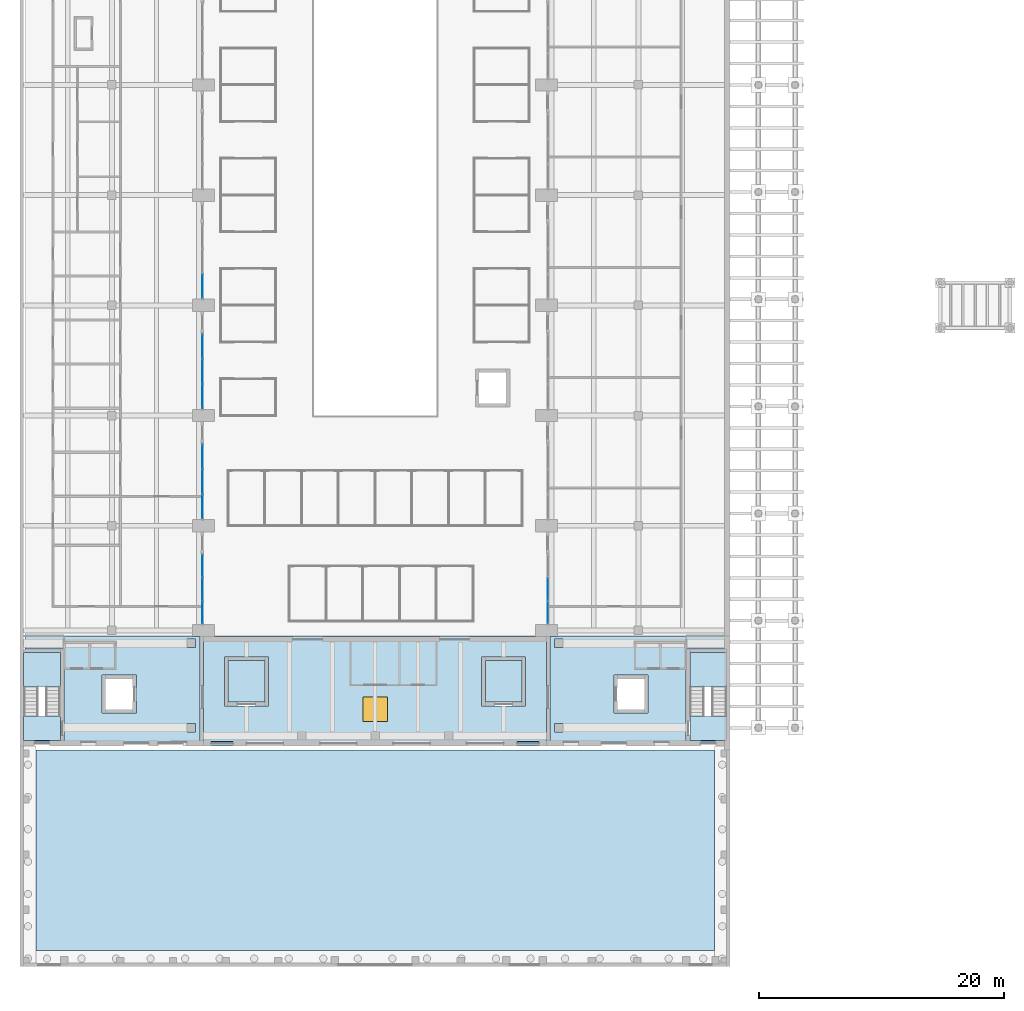
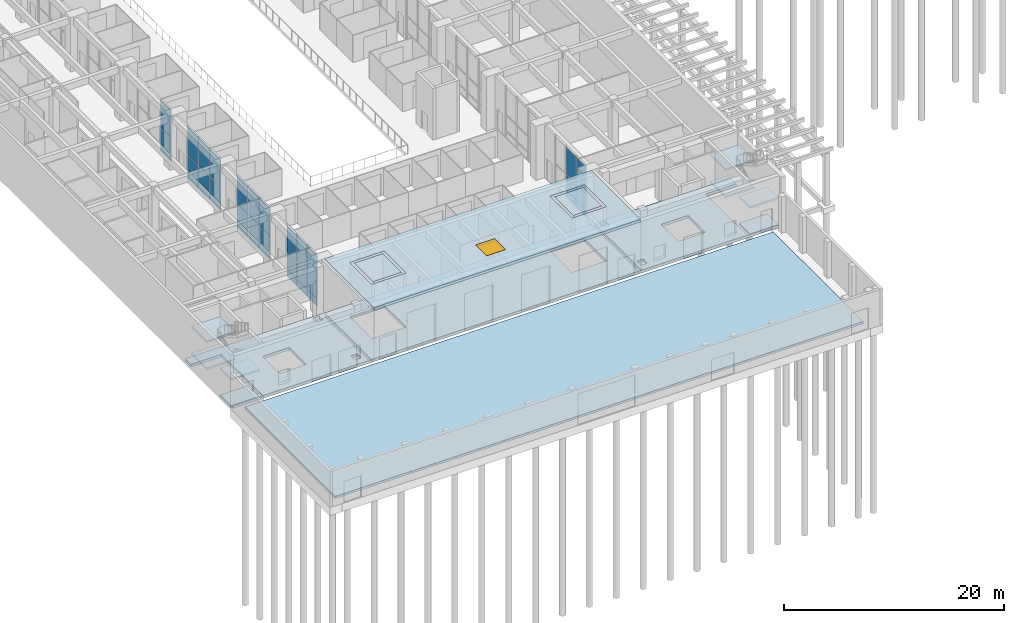
# One storey, part 24 of 51: 36 plates, 15 slabs, 1 door, 1 opening, 7 elements without a shape of their own.
"""IFC4 building model written with IfcOpenShell, lengths in metres."""

import ifcopenshell
import ifcopenshell.guid

model = None  # the IFC model being written
_history = None  # IfcOwnerHistory: only IFC2X3 demands one
_inside = {}  # id of a spatial element -> (the spatial element, [elements in it])
_under = {}  # id of a project, library or spatial element -> (it, [spatial elements below it])
_declared = {}  # id of a project -> (the project, [libraries it declares])
_typed = {}  # id of a type object -> (the type object, [elements of that type])
_made_of = {}  # id of a material, layer set ... -> (it, [elements and type objects made of it])


def new_model(schema):
    """Start an empty IFC model of exactly this schema.

    Asked for "IFC4X3", IfcOpenShell would pick the latest addendum, in which some entities
    have other attributes; the version numbers below select the first issue.
    IFC2X3 requires an IfcOwnerHistory on every rooted entity: one is made here for all.
    """
    global model, _history
    if schema == "IFC4X3":
        model = ifcopenshell.file(schema_version=(4, 3, 0, 0))
    else:
        model = ifcopenshell.file(schema=schema)
    _inside.clear()
    _under.clear()
    _declared.clear()
    _typed.clear()
    _made_of.clear()
    _history = None
    if model.schema == "IFC2X3":
        org = make("IfcOrganization", Name="unknown")
        user = make(
            "IfcPersonAndOrganization",
            ThePerson=make("IfcPerson", FamilyName="unknown"),
            TheOrganization=org,
        )
        app = make(
            "IfcApplication",
            ApplicationDeveloper=org,
            Version="unknown",
            ApplicationFullName="unknown",
            ApplicationIdentifier="unknown",
        )
        _history = make(
            "IfcOwnerHistory",
            OwningUser=user,
            OwningApplication=app,
            ChangeAction="ADDED",
            CreationDate=0,
        )
    return model


def make(cls, **values):
    """One entity of the class cls with the attributes given. An attribute that is None is left unset."""
    return model.create_entity(
        cls, **{name: value for name, value in values.items() if value is not None}
    )


def rooted(cls, **values):
    """An entity with a GlobalId (a new one), such as an element, a storey or a relation."""
    return make(cls, GlobalId=ifcopenshell.guid.new(), OwnerHistory=_history, **values)


def si_unit(unit_type, name, prefix=None):
    """IfcSIUnit, for example si_unit("LENGTHUNIT", "METRE", prefix="MILLI")."""
    return make("IfcSIUnit", UnitType=unit_type, Prefix=prefix, Name=name)


def assignment(units):
    """IfcUnitAssignment: the units of a project."""
    return None if units is None else make("IfcUnitAssignment", Units=units)


def point(xyz):
    """IfcCartesianPoint."""
    return None if xyz is None else make("IfcCartesianPoint", Coordinates=xyz)


def direction(xyz):
    """IfcDirection."""
    return None if xyz is None else make("IfcDirection", DirectionRatios=xyz)


def frame(location, z_axis=None, x_axis=None):
    """IfcAxis2Placement3D, a coordinate frame: its origin and axes. An axis left out is left unset."""
    return make(
        "IfcAxis2Placement3D",
        Location=point(location),
        Axis=direction(z_axis),
        RefDirection=direction(x_axis),
    )


def frame_2d(location, x_axis=None):
    """IfcAxis2Placement2D, a coordinate frame in the plane: its origin and x axis."""
    return make(
        "IfcAxis2Placement2D", Location=point(location), RefDirection=direction(x_axis)
    )


def origin():
    """The frame at (0, 0, 0) with its axes left unset."""
    return frame((0.0, 0.0, 0.0))


def origin_2d():
    """The frame at (0, 0) in the plane with its x axis left unset."""
    return frame_2d((0.0, 0.0))


def place(relative_to, where):
    """IfcLocalPlacement: puts the frame where relative to a parent placement (None: the world)."""
    return make(
        "IfcLocalPlacement", PlacementRelTo=relative_to, RelativePlacement=where
    )


def context(
    kind, dimensions, precision=None, world=None, true_north=None, identifier=None
):
    """IfcGeometricRepresentationContext, for example the 3D "Model" context."""
    return make(
        "IfcGeometricRepresentationContext",
        ContextIdentifier=identifier,
        ContextType=kind,
        CoordinateSpaceDimension=dimensions,
        Precision=precision,
        WorldCoordinateSystem=world,
        TrueNorth=true_north,
    )


def subcontext(parent, identifier, kind, view, scale=None):
    """IfcGeometricRepresentationSubContext, for example "Body" below "Model"."""
    return make(
        "IfcGeometricRepresentationSubContext",
        ContextIdentifier=identifier,
        ContextType=kind,
        ParentContext=parent,
        TargetScale=scale,
        TargetView=view,
    )


def project(units=None, contexts=None):
    """IfcProject with its units and contexts."""
    return rooted(
        "IfcProject",
        Name="project",
        RepresentationContexts=contexts,
        UnitsInContext=assignment(units),
    )


def spatial(cls, under=None, at=None, **own):
    """A site, building, storey or space (cls), placed at a placement, below another one or the project."""
    s = rooted(cls, ObjectPlacement=at, **own)
    if under is not None:
        _under.setdefault(under.id(), (under, []))[1].append(s)
    return s


def polyline(points):
    """IfcPolyline through the points."""
    return make("IfcPolyline", Points=[point(p) for p in points])


def profile(cls, at=None, kind="AREA", **sizes):
    """A parametric profile (cls). Its sizes go by their IFC names, for example OverallWidth=200.0."""
    return make(cls, ProfileType=kind, Position=at, **sizes)


def rectangle(**sizes):
    """IfcRectangleProfileDef."""
    return profile("IfcRectangleProfileDef", **sizes)


def outline(outer, holes=None, kind="AREA"):
    """IfcArbitraryClosedProfileDef: a profile drawn as a closed curve; with holes, ...WithVoids."""
    if holes is None:
        return make("IfcArbitraryClosedProfileDef", ProfileType=kind, OuterCurve=outer)
    return make(
        "IfcArbitraryProfileDefWithVoids",
        ProfileType=kind,
        OuterCurve=outer,
        InnerCurves=holes,
    )


def extrude(swept, where, along, depth):
    """IfcExtrudedAreaSolid: the profile swept, set in the frame where, extruded along a direction by depth."""
    return make(
        "IfcExtrudedAreaSolid",
        SweptArea=swept,
        Position=where,
        ExtrudedDirection=direction(along),
        Depth=depth,
    )


def shape(context_of_items, identifier, shape_type, items):
    """IfcShapeRepresentation: the items that make up one representation, for example the "Body"."""
    return make(
        "IfcShapeRepresentation",
        ContextOfItems=context_of_items,
        RepresentationIdentifier=identifier,
        RepresentationType=shape_type,
        Items=items,
    )


def material(Name=None, Category=None):
    """IfcMaterial."""
    return make("IfcMaterial", Name=Name, Category=Category)


def layer(
    of_material, thickness, ventilated=None, Name=None, Category=None, Priority=None
):
    """IfcMaterialLayer: one layer of a wall or slab, of a material (None: an air gap)."""
    return make(
        "IfcMaterialLayer",
        Material=of_material,
        LayerThickness=thickness,
        IsVentilated=ventilated,
        Name=Name,
        Category=Category,
        Priority=Priority,
    )


def layer_set(layers, Name=None):
    """IfcMaterialLayerSet."""
    return make("IfcMaterialLayerSet", MaterialLayers=layers, LayerSetName=Name)


def made_of(thing, what):
    """Note that an element or type object is made of a material, layer set ...; save() writes the relation."""
    if what is not None:
        _made_of.setdefault(what.id(), (what, []))[1].append(thing)
    return thing


def type_object(cls, material=None, **own):
    """A type object (cls), such as IfcWallType, which elements share."""
    return made_of(rooted(cls, **own), material)


def element(
    cls,
    number,
    at=None,
    inside=None,
    cuts=None,
    type_object=None,
    material=None,
    context=None,
    identifier="Body",
    shape_type=None,
    held_by="IfcProductDefinitionShape",
    body=None,
    shapes=None,
    **own,
):
    """One element of the class cls, such as IfcWall. Its Tag is "e" and its number.

    at: its placement. inside: the storey or other place that contains it. cuts: it is an
    opening in that element (IfcRelVoidsElement). A single representation is given by context,
    identifier, shape_type and body (its items); several are given by shapes. held_by: the class
    of the entity that holds the representations. save() writes the other relations.
    """
    e = rooted(cls, Tag="e%d" % number, ObjectPlacement=at, **own)
    if body is not None:
        shapes = [shape(context, identifier, shape_type, body)]
    if shapes is not None:
        e.Representation = make(held_by, Representations=shapes)
    if inside is not None:
        _inside.setdefault(inside.id(), (inside, []))[1].append(e)
    if cuts is not None:
        rooted(
            "IfcRelVoidsElement", RelatingBuildingElement=cuts, RelatedOpeningElement=e
        )
    if type_object is not None:
        _typed.setdefault(type_object.id(), (type_object, []))[1].append(e)
    return made_of(e, material)


def fill(opening, filler):
    """IfcRelFillsElement: the door or window that sits in an opening."""
    return rooted(
        "IfcRelFillsElement",
        RelatingOpeningElement=opening,
        RelatedBuildingElement=filler,
    )


def aggregate(whole, parts):
    """IfcRelAggregates: a whole, such as a stair, and the parts it consists of."""
    return rooted("IfcRelAggregates", RelatingObject=whole, RelatedObjects=parts)


def save(model, path):
    """Write the relations noted so far, then the file.

    IfcRelAggregates (storeys below a building ...), IfcRelContainedInSpatialStructure (elements
    in a storey), IfcRelDefinesByType, IfcRelAssociatesMaterial and IfcRelDeclares: one each for
    every whole, place, type object, material and project.
    """
    for whole, parts in _under.values():
        aggregate(whole, parts)
    for where, things in _inside.values():
        rooted(
            "IfcRelContainedInSpatialStructure",
            RelatedElements=things,
            RelatingStructure=where,
        )
    for kind, things in _typed.values():
        rooted("IfcRelDefinesByType", RelatedObjects=things, RelatingType=kind)
    for what, things in _made_of.values():
        rooted("IfcRelAssociatesMaterial", RelatedObjects=things, RelatingMaterial=what)
    for by, libraries in _declared.values():
        rooted("IfcRelDeclares", RelatingContext=by, RelatedDefinitions=libraries)
    model.write(path)


model = new_model("IFC4")

# Units and contexts
model_context = context("Model", 3, precision=1e-05, world=origin(), true_north=direction((0.0, 1.0)))
body_context = subcontext(model_context, "Body", "Model", "MODEL_VIEW")
ifc_project = project(units=[si_unit("LENGTHUNIT", "METRE"), si_unit("AREAUNIT", "SQUARE_METRE"), si_unit("VOLUMEUNIT", "CUBIC_METRE"), si_unit("PLANEANGLEUNIT", "RADIAN"), si_unit("MASSUNIT", "GRAM", prefix="KILO")], contexts=[model_context])

# Site, building, storey
site_placement = place(None, origin())
site = spatial("IfcSite", under=ifc_project, at=site_placement, CompositionType="ELEMENT")
building_placement = place(site_placement, origin())
building = spatial("IfcBuilding", under=site, at=building_placement, Name="Elmora Arch Market Hall", CompositionType="ELEMENT")
storey_placement = place(building_placement, origin())
storey = spatial("IfcBuildingStorey", under=building, at=storey_placement, Name="L00", CompositionType="ELEMENT", Elevation=0.0)

# Slabs
ifc_material_1 = material(Name="Concrete C32/40", Category="concrete")
ifc_layer_1 = layer(ifc_material_1, 0.300048828125)
ifc_layer_set_1 = layer_set([ifc_layer_1], Name="Concrete C32/40")
slab_type_1 = type_object("IfcSlabType", Name="Floor slab 300", PredefinedType="FLOOR", material=ifc_layer_set_1)
slab_1_placement = place(storey_placement, frame((0.0, 0.0, -0.300048828125)))
element("IfcSlab", 1, at=slab_1_placement, inside=storey, type_object=slab_type_1, Name="L00 floor slab DOCK", PredefinedType="FLOOR", context=body_context, shape_type="SweptSolid", body=[
    extrude(outline(polyline([(43.0, 18.40087890625), (15.0, 18.40087890625), (15.0, 18.448974609375), (15.0009765625, 18.448974609375), (15.0009765625, 26.948974609375), (15.90087890625, 26.948974609375), (15.90087890625, 27.0), (42.09912109375, 27.0), (42.09912109375, 26.948974609375), (42.9990234375, 26.948974609375), (42.9990234375, 18.448974609375), (43.0, 18.448974609375), (43.0, 18.40087890625)]), holes=[polyline([(37.698974609375, 25.301025390625), (37.698974609375, 21.299072265625), (41.301025390625, 21.299072265625), (41.301025390625, 25.301025390625), (37.698974609375, 25.301025390625)]), polyline([(16.698974609375, 25.301025390625), (16.698974609375, 21.299072265625), (20.301025390625, 21.299072265625), (20.301025390625, 25.301025390625), (16.698974609375, 25.301025390625)])]), origin(), (0.0, 0.0, 1.0), 0.300048828125),
])
slab_2_placement = place(storey_placement, frame((0.0, 0.0, -0.300048828125)))
element("IfcSlab", 2, at=slab_2_placement, inside=storey, type_object=slab_type_1, Name="L00 floor slab SW", PredefinedType="FLOOR", context=body_context, shape_type="SweptSolid", body=[
    extrude(outline(polyline([(15.0, 18.40087890625), (0.40087890625, 18.40087890625), (0.40087890625, 18.448974609375), (3.60107421875, 18.448974609375), (3.60107421875, 25.950927734375), (0.40087890625, 25.950927734375), (0.40087890625, 27.0), (14.09912109375, 27.0), (14.09912109375, 26.948974609375), (14.698974609375, 26.948974609375), (14.698974609375, 18.448974609375), (15.0, 18.448974609375), (15.0, 18.40087890625)]), holes=[polyline([(14.35107421875, 26.7509765625), (13.64892578125, 26.7509765625), (13.64892578125, 26.049072265625), (14.35107421875, 26.049072265625), (14.35107421875, 26.7509765625)]), polyline([(13.64892578125, 19.85107421875), (13.64892578125, 19.14892578125), (14.35107421875, 19.14892578125), (14.35107421875, 19.85107421875), (13.64892578125, 19.85107421875)]), polyline([(9.5009765625, 20.698974609375), (9.5009765625, 23.801025390625), (6.698974609375, 23.801025390625), (6.698974609375, 20.698974609375), (9.5009765625, 20.698974609375)])]), origin(), (0.0, 0.0, 1.0), 0.300048828125),
])
slab_3_placement = place(storey_placement, frame((0.0, 0.0, -0.300048828125)))
element("IfcSlab", 3, at=slab_3_placement, inside=storey, type_object=slab_type_1, Name="L00 floor slab SE", PredefinedType="FLOOR", context=body_context, shape_type="SweptSolid", body=[
    extrude(outline(polyline([(57.59912109375, 27.0), (57.59912109375, 25.950927734375), (54.39892578125, 25.950927734375), (54.39892578125, 18.448974609375), (57.59912109375, 18.448974609375), (57.59912109375, 18.40087890625), (43.0, 18.40087890625), (43.0, 18.448974609375), (43.301025390625, 18.448974609375), (43.301025390625, 26.948974609375), (43.90087890625, 26.948974609375), (43.90087890625, 27.0), (57.59912109375, 27.0)]), holes=[polyline([(48.4990234375, 23.801025390625), (48.4990234375, 20.698974609375), (51.301025390625, 20.698974609375), (51.301025390625, 23.801025390625), (48.4990234375, 23.801025390625)]), polyline([(44.35107421875, 19.85107421875), (43.64892578125, 19.85107421875), (43.64892578125, 19.14892578125), (44.35107421875, 19.14892578125), (44.35107421875, 19.85107421875)]), polyline([(44.35107421875, 26.7509765625), (43.64892578125, 26.7509765625), (43.64892578125, 26.049072265625), (44.35107421875, 26.049072265625), (44.35107421875, 26.7509765625)])]), origin(), (0.0, 0.0, 1.0), 0.300048828125),
])

# Curtain wall, plates
ifc_material_2 = material(Name="Aluminium", Category="aluminium")
curtain_wall_type = type_object("IfcCurtainWallType", Name="Shopfront curtain wall", PredefinedType="NOTDEFINED", material=ifc_material_2)
curtain_wall_1_placement = place(storey_placement, origin())
curtain_wall_1 = element("IfcCurtainWall", 4, at=curtain_wall_1_placement, inside=storey, type_object=curtain_wall_type, Name="Shopfront W 1", PredefinedType="NOTDEFINED")
ifc_material_3 = material(Name="Glass", Category="glass")
ifc_layer_2 = layer(ifc_material_3, 0.035888671875)
ifc_layer_set_2 = layer_set([ifc_layer_2], Name="Glass")
plate_type = type_object("IfcPlateType", Name="Laminated glass panel 36", PredefinedType="CURTAIN_PANEL", material=ifc_layer_set_2)
plate_1_placement = place(storey_placement, frame((14.89990234375, 28.933349609375, 0.074951171875), z_axis=(0.0, 0.0, 1.0), x_axis=(0.0, 1.0, 0.0)))
plate_1 = element("IfcPlate", 5, at=plate_1_placement, type_object=plate_type, Name="CW3 panel 1.1", PredefinedType="CURTAIN_PANEL", context=body_context, shape_type="SweptSolid", body=[
    extrude(rectangle(XDim=1.7666015625, YDim=0.035888671875, at=origin_2d()), origin(), (0.0, 0.0, 1.0), 0.78759765625),
])
plate_2_placement = place(storey_placement, frame((14.89990234375, 28.933349609375, 0.9375), z_axis=(0.0, 0.0, 1.0), x_axis=(0.0, 1.0, 0.0)))
plate_2 = element("IfcPlate", 6, at=plate_2_placement, type_object=plate_type, Name="CW3 panel 1.2", PredefinedType="CURTAIN_PANEL", context=body_context, shape_type="SweptSolid", body=[
    extrude(rectangle(XDim=1.7666015625, YDim=0.035888671875, at=origin_2d()), origin(), (0.0, 0.0, 1.0), 1.72509765625),
])
plate_3_placement = place(storey_placement, frame((14.89990234375, 28.933349609375, 2.7373046875), z_axis=(0.0, 0.0, 1.0), x_axis=(0.0, 1.0, 0.0)))
plate_3 = element("IfcPlate", 7, at=plate_3_placement, type_object=plate_type, Name="CW3 panel 1.3", PredefinedType="CURTAIN_PANEL", context=body_context, shape_type="SweptSolid", body=[
    extrude(rectangle(XDim=1.7666015625, YDim=0.035888671875, at=origin_2d()), origin(), (0.0, 0.0, 1.0), 2.987548828125),
])
plate_4_placement = place(storey_placement, frame((14.89990234375, 30.824951171875, 0.074951171875), z_axis=(0.0, 0.0, 1.0), x_axis=(0.0, 1.0, 0.0)))
plate_4 = element("IfcPlate", 8, at=plate_4_placement, type_object=plate_type, Name="CW3 panel 2.1", PredefinedType="CURTAIN_PANEL", context=body_context, shape_type="SweptSolid", body=[
    extrude(rectangle(XDim=1.816650390625, YDim=0.035888671875, at=origin_2d()), origin(), (0.0, 0.0, 1.0), 0.78759765625),
])
plate_5_placement = place(storey_placement, frame((14.89990234375, 30.824951171875, 0.9375), z_axis=(0.0, 0.0, 1.0), x_axis=(0.0, 1.0, 0.0)))
plate_5 = element("IfcPlate", 9, at=plate_5_placement, type_object=plate_type, Name="CW3 panel 2.2", PredefinedType="CURTAIN_PANEL", context=body_context, shape_type="SweptSolid", body=[
    extrude(rectangle(XDim=1.816650390625, YDim=0.035888671875, at=origin_2d()), origin(), (0.0, 0.0, 1.0), 1.72509765625),
])
plate_6_placement = place(storey_placement, frame((14.89990234375, 30.824951171875, 2.7373046875), z_axis=(0.0, 0.0, 1.0), x_axis=(0.0, 1.0, 0.0)))
plate_6 = element("IfcPlate", 10, at=plate_6_placement, type_object=plate_type, Name="CW3 panel 2.3", PredefinedType="CURTAIN_PANEL", context=body_context, shape_type="SweptSolid", body=[
    extrude(rectangle(XDim=1.816650390625, YDim=0.035888671875, at=origin_2d()), origin(), (0.0, 0.0, 1.0), 2.987548828125),
])
plate_7_placement = place(storey_placement, frame((14.89990234375, 32.716552734375, 0.074951171875), z_axis=(0.0, 0.0, 1.0), x_axis=(0.0, 1.0, 0.0)))
plate_7 = element("IfcPlate", 11, at=plate_7_placement, type_object=plate_type, Name="CW3 panel 3.1", PredefinedType="CURTAIN_PANEL", context=body_context, shape_type="SweptSolid", body=[
    extrude(rectangle(XDim=1.7666015625, YDim=0.035888671875, at=origin_2d()), origin(), (0.0, 0.0, 1.0), 0.78759765625),
])
plate_8_placement = place(storey_placement, frame((14.89990234375, 32.716552734375, 0.9375), z_axis=(0.0, 0.0, 1.0), x_axis=(0.0, 1.0, 0.0)))
plate_8 = element("IfcPlate", 12, at=plate_8_placement, type_object=plate_type, Name="CW3 panel 3.2", PredefinedType="CURTAIN_PANEL", context=body_context, shape_type="SweptSolid", body=[
    extrude(rectangle(XDim=1.7666015625, YDim=0.035888671875, at=origin_2d()), origin(), (0.0, 0.0, 1.0), 1.72509765625),
])
plate_9_placement = place(storey_placement, frame((14.89990234375, 32.716552734375, 2.7373046875), z_axis=(0.0, 0.0, 1.0), x_axis=(0.0, 1.0, 0.0)))
plate_9 = element("IfcPlate", 13, at=plate_9_placement, type_object=plate_type, Name="CW3 panel 3.3", PredefinedType="CURTAIN_PANEL", context=body_context, shape_type="SweptSolid", body=[
    extrude(rectangle(XDim=1.7666015625, YDim=0.035888671875, at=origin_2d()), origin(), (0.0, 0.0, 1.0), 2.987548828125),
])
aggregate(curtain_wall_1, [plate_1, plate_2, plate_3, plate_4, plate_5, plate_6, plate_7, plate_8, plate_9])

curtain_wall_2_placement = place(storey_placement, origin())
curtain_wall_2 = element("IfcCurtainWall", 14, at=curtain_wall_2_placement, inside=storey, type_object=curtain_wall_type, Name="Shopfront W 2", PredefinedType="NOTDEFINED")
plate_10_placement = place(storey_placement, frame((14.89990234375, 37.558349609375, 0.074951171875), z_axis=(0.0, 0.0, 1.0), x_axis=(0.0, 1.0, 0.0)))
plate_10 = element("IfcPlate", 15, at=plate_10_placement, type_object=plate_type, Name="CW3 panel 1.1", PredefinedType="CURTAIN_PANEL", context=body_context, shape_type="SweptSolid", body=[
    extrude(rectangle(XDim=1.916748046875, YDim=0.035888671875, at=origin_2d()), origin(), (0.0, 0.0, 1.0), 0.78759765625),
])
plate_11_placement = place(storey_placement, frame((14.89990234375, 37.558349609375, 0.9375), z_axis=(0.0, 0.0, 1.0), x_axis=(0.0, 1.0, 0.0)))
plate_11 = element("IfcPlate", 16, at=plate_11_placement, type_object=plate_type, Name="CW3 panel 1.2", PredefinedType="CURTAIN_PANEL", context=body_context, shape_type="SweptSolid", body=[
    extrude(rectangle(XDim=1.916748046875, YDim=0.035888671875, at=origin_2d()), origin(), (0.0, 0.0, 1.0), 1.72509765625),
])
plate_12_placement = place(storey_placement, frame((14.89990234375, 37.558349609375, 2.7373046875), z_axis=(0.0, 0.0, 1.0), x_axis=(0.0, 1.0, 0.0)))
plate_12 = element("IfcPlate", 17, at=plate_12_placement, type_object=plate_type, Name="CW3 panel 1.3", PredefinedType="CURTAIN_PANEL", context=body_context, shape_type="SweptSolid", body=[
    extrude(rectangle(XDim=1.916748046875, YDim=0.035888671875, at=origin_2d()), origin(), (0.0, 0.0, 1.0), 2.987548828125),
])
plate_13_placement = place(storey_placement, frame((14.89990234375, 39.60009765625, 0.074951171875), z_axis=(0.0, 0.0, 1.0), x_axis=(0.0, 1.0, 0.0)))
plate_13 = element("IfcPlate", 18, at=plate_13_placement, type_object=plate_type, Name="CW3 panel 2.1", PredefinedType="CURTAIN_PANEL", context=body_context, shape_type="SweptSolid", body=[
    extrude(rectangle(XDim=1.966552734375, YDim=0.035888671875, at=origin_2d()), origin(), (0.0, 0.0, 1.0), 0.78759765625),
])
plate_14_placement = place(storey_placement, frame((14.89990234375, 39.60009765625, 0.9375), z_axis=(0.0, 0.0, 1.0), x_axis=(0.0, 1.0, 0.0)))
plate_14 = element("IfcPlate", 19, at=plate_14_placement, type_object=plate_type, Name="CW3 panel 2.2", PredefinedType="CURTAIN_PANEL", context=body_context, shape_type="SweptSolid", body=[
    extrude(rectangle(XDim=1.966552734375, YDim=0.035888671875, at=origin_2d()), origin(), (0.0, 0.0, 1.0), 1.72509765625),
])
plate_15_placement = place(storey_placement, frame((14.89990234375, 39.60009765625, 2.7373046875), z_axis=(0.0, 0.0, 1.0), x_axis=(0.0, 1.0, 0.0)))
plate_15 = element("IfcPlate", 20, at=plate_15_placement, type_object=plate_type, Name="CW3 panel 2.3", PredefinedType="CURTAIN_PANEL", context=body_context, shape_type="SweptSolid", body=[
    extrude(rectangle(XDim=1.966552734375, YDim=0.035888671875, at=origin_2d()), origin(), (0.0, 0.0, 1.0), 2.987548828125),
])
plate_16_placement = place(storey_placement, frame((14.89990234375, 41.6416015625, 0.074951171875), z_axis=(0.0, 0.0, 1.0), x_axis=(0.0, 1.0, 0.0)))
plate_16 = element("IfcPlate", 21, at=plate_16_placement, type_object=plate_type, Name="CW3 panel 3.1", PredefinedType="CURTAIN_PANEL", context=body_context, shape_type="SweptSolid", body=[
    extrude(rectangle(XDim=1.916748046875, YDim=0.035888671875, at=origin_2d()), origin(), (0.0, 0.0, 1.0), 0.78759765625),
])
plate_17_placement = place(storey_placement, frame((14.89990234375, 41.6416015625, 0.9375), z_axis=(0.0, 0.0, 1.0), x_axis=(0.0, 1.0, 0.0)))
plate_17 = element("IfcPlate", 22, at=plate_17_placement, type_object=plate_type, Name="CW3 panel 3.2", PredefinedType="CURTAIN_PANEL", context=body_context, shape_type="SweptSolid", body=[
    extrude(rectangle(XDim=1.916748046875, YDim=0.035888671875, at=origin_2d()), origin(), (0.0, 0.0, 1.0), 1.72509765625),
])
plate_18_placement = place(storey_placement, frame((14.89990234375, 41.6416015625, 2.7373046875), z_axis=(0.0, 0.0, 1.0), x_axis=(0.0, 1.0, 0.0)))
plate_18 = element("IfcPlate", 23, at=plate_18_placement, type_object=plate_type, Name="CW3 panel 3.3", PredefinedType="CURTAIN_PANEL", context=body_context, shape_type="SweptSolid", body=[
    extrude(rectangle(XDim=1.916748046875, YDim=0.035888671875, at=origin_2d()), origin(), (0.0, 0.0, 1.0), 2.987548828125),
])
aggregate(curtain_wall_2, [plate_10, plate_11, plate_12, plate_13, plate_14, plate_15, plate_16, plate_17, plate_18])

curtain_wall_3_placement = place(storey_placement, origin())
curtain_wall_3 = element("IfcCurtainWall", 24, at=curtain_wall_3_placement, inside=storey, type_object=curtain_wall_type, Name="Shopfront W 3", PredefinedType="NOTDEFINED")
plate_19_placement = place(storey_placement, frame((14.89990234375, 46.558349609375, 0.074951171875), z_axis=(0.0, 0.0, 1.0), x_axis=(0.0, 1.0, 0.0)))
plate_19 = element("IfcPlate", 25, at=plate_19_placement, type_object=plate_type, Name="CW3 panel 1.1", PredefinedType="CURTAIN_PANEL", context=body_context, shape_type="SweptSolid", body=[
    extrude(rectangle(XDim=1.916748046875, YDim=0.035888671875, at=origin_2d()), origin(), (0.0, 0.0, 1.0), 0.78759765625),
])
plate_20_placement = place(storey_placement, frame((14.89990234375, 46.558349609375, 0.9375), z_axis=(0.0, 0.0, 1.0), x_axis=(0.0, 1.0, 0.0)))
plate_20 = element("IfcPlate", 26, at=plate_20_placement, type_object=plate_type, Name="CW3 panel 1.2", PredefinedType="CURTAIN_PANEL", context=body_context, shape_type="SweptSolid", body=[
    extrude(rectangle(XDim=1.916748046875, YDim=0.035888671875, at=origin_2d()), origin(), (0.0, 0.0, 1.0), 1.72509765625),
])
plate_21_placement = place(storey_placement, frame((14.89990234375, 46.558349609375, 2.7373046875), z_axis=(0.0, 0.0, 1.0), x_axis=(0.0, 1.0, 0.0)))
plate_21 = element("IfcPlate", 27, at=plate_21_placement, type_object=plate_type, Name="CW3 panel 1.3", PredefinedType="CURTAIN_PANEL", context=body_context, shape_type="SweptSolid", body=[
    extrude(rectangle(XDim=1.916748046875, YDim=0.035888671875, at=origin_2d()), origin(), (0.0, 0.0, 1.0), 2.987548828125),
])
plate_22_placement = place(storey_placement, frame((14.89990234375, 48.60009765625, 0.074951171875), z_axis=(0.0, 0.0, 1.0), x_axis=(0.0, 1.0, 0.0)))
plate_22 = element("IfcPlate", 28, at=plate_22_placement, type_object=plate_type, Name="CW3 panel 2.1", PredefinedType="CURTAIN_PANEL", context=body_context, shape_type="SweptSolid", body=[
    extrude(rectangle(XDim=1.966552734375, YDim=0.035888671875, at=origin_2d()), origin(), (0.0, 0.0, 1.0), 0.78759765625),
])
plate_23_placement = place(storey_placement, frame((14.89990234375, 48.60009765625, 0.9375), z_axis=(0.0, 0.0, 1.0), x_axis=(0.0, 1.0, 0.0)))
plate_23 = element("IfcPlate", 29, at=plate_23_placement, type_object=plate_type, Name="CW3 panel 2.2", PredefinedType="CURTAIN_PANEL", context=body_context, shape_type="SweptSolid", body=[
    extrude(rectangle(XDim=1.966552734375, YDim=0.035888671875, at=origin_2d()), origin(), (0.0, 0.0, 1.0), 1.72509765625),
])
plate_24_placement = place(storey_placement, frame((14.89990234375, 48.60009765625, 2.7373046875), z_axis=(0.0, 0.0, 1.0), x_axis=(0.0, 1.0, 0.0)))
plate_24 = element("IfcPlate", 30, at=plate_24_placement, type_object=plate_type, Name="CW3 panel 2.3", PredefinedType="CURTAIN_PANEL", context=body_context, shape_type="SweptSolid", body=[
    extrude(rectangle(XDim=1.966552734375, YDim=0.035888671875, at=origin_2d()), origin(), (0.0, 0.0, 1.0), 2.987548828125),
])
plate_25_placement = place(storey_placement, frame((14.89990234375, 50.6416015625, 0.074951171875), z_axis=(0.0, 0.0, 1.0), x_axis=(0.0, 1.0, 0.0)))
plate_25 = element("IfcPlate", 31, at=plate_25_placement, type_object=plate_type, Name="CW3 panel 3.1", PredefinedType="CURTAIN_PANEL", context=body_context, shape_type="SweptSolid", body=[
    extrude(rectangle(XDim=1.916748046875, YDim=0.035888671875, at=origin_2d()), origin(), (0.0, 0.0, 1.0), 0.78759765625),
])
plate_26_placement = place(storey_placement, frame((14.89990234375, 50.6416015625, 0.9375), z_axis=(0.0, 0.0, 1.0), x_axis=(0.0, 1.0, 0.0)))
plate_26 = element("IfcPlate", 32, at=plate_26_placement, type_object=plate_type, Name="CW3 panel 3.2", PredefinedType="CURTAIN_PANEL", context=body_context, shape_type="SweptSolid", body=[
    extrude(rectangle(XDim=1.916748046875, YDim=0.035888671875, at=origin_2d()), origin(), (0.0, 0.0, 1.0), 1.72509765625),
])
plate_27_placement = place(storey_placement, frame((14.89990234375, 50.6416015625, 2.7373046875), z_axis=(0.0, 0.0, 1.0), x_axis=(0.0, 1.0, 0.0)))
plate_27 = element("IfcPlate", 33, at=plate_27_placement, type_object=plate_type, Name="CW3 panel 3.3", PredefinedType="CURTAIN_PANEL", context=body_context, shape_type="SweptSolid", body=[
    extrude(rectangle(XDim=1.916748046875, YDim=0.035888671875, at=origin_2d()), origin(), (0.0, 0.0, 1.0), 2.987548828125),
])
aggregate(curtain_wall_3, [plate_19, plate_20, plate_21, plate_22, plate_23, plate_24, plate_25, plate_26, plate_27])

curtain_wall_4_placement = place(storey_placement, origin())
curtain_wall_4 = element("IfcCurtainWall", 34, at=curtain_wall_4_placement, inside=storey, type_object=curtain_wall_type, Name="Shopfront W 4", PredefinedType="NOTDEFINED")
plate_28_placement = place(storey_placement, frame((14.89990234375, 55.558349609375, 0.074951171875), z_axis=(0.0, 0.0, 1.0), x_axis=(0.0, 1.0, 0.0)))
plate_28 = element("IfcPlate", 35, at=plate_28_placement, type_object=plate_type, Name="CW3 panel 1.1", PredefinedType="CURTAIN_PANEL", context=body_context, shape_type="SweptSolid", body=[
    extrude(rectangle(XDim=1.916748046875, YDim=0.035888671875, at=origin_2d()), origin(), (0.0, 0.0, 1.0), 0.78759765625),
])
plate_29_placement = place(storey_placement, frame((14.89990234375, 55.558349609375, 0.9375), z_axis=(0.0, 0.0, 1.0), x_axis=(0.0, 1.0, 0.0)))
plate_29 = element("IfcPlate", 36, at=plate_29_placement, type_object=plate_type, Name="CW3 panel 1.2", PredefinedType="CURTAIN_PANEL", context=body_context, shape_type="SweptSolid", body=[
    extrude(rectangle(XDim=1.916748046875, YDim=0.035888671875, at=origin_2d()), origin(), (0.0, 0.0, 1.0), 1.72509765625),
])
plate_30_placement = place(storey_placement, frame((14.89990234375, 55.558349609375, 2.7373046875), z_axis=(0.0, 0.0, 1.0), x_axis=(0.0, 1.0, 0.0)))
plate_30 = element("IfcPlate", 37, at=plate_30_placement, type_object=plate_type, Name="CW3 panel 1.3", PredefinedType="CURTAIN_PANEL", context=body_context, shape_type="SweptSolid", body=[
    extrude(rectangle(XDim=1.916748046875, YDim=0.035888671875, at=origin_2d()), origin(), (0.0, 0.0, 1.0), 2.987548828125),
])
aggregate(curtain_wall_4, [plate_28, plate_29, plate_30])

curtain_wall_5_placement = place(storey_placement, origin())
curtain_wall_5 = element("IfcCurtainWall", 38, at=curtain_wall_5_placement, inside=storey, type_object=curtain_wall_type, Name="Shopfront E 1", PredefinedType="NOTDEFINED")
plate_31_placement = place(storey_placement, frame((43.10009765625, 28.933349609375, 0.074951171875), z_axis=(0.0, 0.0, 1.0), x_axis=(0.0, 1.0, 0.0)))
plate_31 = element("IfcPlate", 39, at=plate_31_placement, type_object=plate_type, Name="CW3 panel 1.1", PredefinedType="CURTAIN_PANEL", context=body_context, shape_type="SweptSolid", body=[
    extrude(rectangle(XDim=1.7666015625, YDim=0.035888671875, at=origin_2d()), origin(), (0.0, 0.0, 1.0), 0.78759765625),
])
plate_32_placement = place(storey_placement, frame((43.10009765625, 28.933349609375, 0.9375), z_axis=(0.0, 0.0, 1.0), x_axis=(0.0, 1.0, 0.0)))
plate_32 = element("IfcPlate", 40, at=plate_32_placement, type_object=plate_type, Name="CW3 panel 1.2", PredefinedType="CURTAIN_PANEL", context=body_context, shape_type="SweptSolid", body=[
    extrude(rectangle(XDim=1.7666015625, YDim=0.035888671875, at=origin_2d()), origin(), (0.0, 0.0, 1.0), 1.72509765625),
])
plate_33_placement = place(storey_placement, frame((43.10009765625, 28.933349609375, 2.7373046875), z_axis=(0.0, 0.0, 1.0), x_axis=(0.0, 1.0, 0.0)))
plate_33 = element("IfcPlate", 41, at=plate_33_placement, type_object=plate_type, Name="CW3 panel 1.3", PredefinedType="CURTAIN_PANEL", context=body_context, shape_type="SweptSolid", body=[
    extrude(rectangle(XDim=1.7666015625, YDim=0.035888671875, at=origin_2d()), origin(), (0.0, 0.0, 1.0), 2.987548828125),
])
plate_34_placement = place(storey_placement, frame((43.10009765625, 30.824951171875, 0.074951171875), z_axis=(0.0, 0.0, 1.0), x_axis=(0.0, 1.0, 0.0)))
plate_34 = element("IfcPlate", 42, at=plate_34_placement, type_object=plate_type, Name="CW3 panel 2.1", PredefinedType="CURTAIN_PANEL", context=body_context, shape_type="SweptSolid", body=[
    extrude(rectangle(XDim=1.816650390625, YDim=0.035888671875, at=origin_2d()), origin(), (0.0, 0.0, 1.0), 0.78759765625),
])
plate_35_placement = place(storey_placement, frame((43.10009765625, 30.824951171875, 0.9375), z_axis=(0.0, 0.0, 1.0), x_axis=(0.0, 1.0, 0.0)))
plate_35 = element("IfcPlate", 43, at=plate_35_placement, type_object=plate_type, Name="CW3 panel 2.2", PredefinedType="CURTAIN_PANEL", context=body_context, shape_type="SweptSolid", body=[
    extrude(rectangle(XDim=1.816650390625, YDim=0.035888671875, at=origin_2d()), origin(), (0.0, 0.0, 1.0), 1.72509765625),
])
plate_36_placement = place(storey_placement, frame((43.10009765625, 30.824951171875, 2.7373046875), z_axis=(0.0, 0.0, 1.0), x_axis=(0.0, 1.0, 0.0)))
plate_36 = element("IfcPlate", 44, at=plate_36_placement, type_object=plate_type, Name="CW3 panel 2.3", PredefinedType="CURTAIN_PANEL", context=body_context, shape_type="SweptSolid", body=[
    extrude(rectangle(XDim=1.816650390625, YDim=0.035888671875, at=origin_2d()), origin(), (0.0, 0.0, 1.0), 2.987548828125),
])
aggregate(curtain_wall_5, [plate_31, plate_32, plate_33, plate_34, plate_35, plate_36])

# Slab, opening, door
ifc_material_4 = material(Name="Concrete C32/40", Category="concrete")
ifc_layer_3 = layer(ifc_material_4, 0.300048828125)
ifc_layer_set_3 = layer_set([ifc_layer_3], Name="Concrete C32/40")
slab_type_2 = type_object("IfcSlabType", Name="Roof slab 300", PredefinedType="ROOF", material=ifc_layer_set_3)
slab_4_placement = place(storey_placement, frame((0.0, 0.0, 5.699951171875)))
slab_4 = element("IfcSlab", 45, at=slab_4_placement, inside=storey, type_object=slab_type_2, Name="Roof slab DOCK 1", PredefinedType="ROOF", context=body_context, shape_type="SweptSolid", body=[
    extrude(outline(polyline([(43.0, 18.0), (15.0, 18.0), (15.0, 18.448974609375), (15.0009765625, 18.448974609375), (15.0009765625, 26.948974609375), (15.90087890625, 26.948974609375), (15.90087890625, 27.0), (42.09912109375, 27.0), (42.09912109375, 26.948974609375), (42.9990234375, 26.948974609375), (42.9990234375, 18.448974609375), (43.0, 18.448974609375), (43.0, 18.0)]), holes=[polyline([(37.698974609375, 25.301025390625), (37.698974609375, 21.299072265625), (41.301025390625, 21.299072265625), (41.301025390625, 25.301025390625), (37.698974609375, 25.301025390625)]), polyline([(27.9990234375, 22.0009765625), (27.9990234375, 19.9990234375), (30.0009765625, 19.9990234375), (30.0009765625, 22.0009765625), (27.9990234375, 22.0009765625)]), polyline([(20.301025390625, 21.299072265625), (20.301025390625, 25.301025390625), (16.698974609375, 25.301025390625), (16.698974609375, 21.299072265625), (20.301025390625, 21.299072265625)])]), origin(), (0.0, 0.0, 1.0), 0.300048828125),
])
opening_placement = place(slab_4_placement, frame((29.0, 21.0, 0.0)))
opening = element("IfcOpeningElement", 46, at=opening_placement, cuts=slab_4, Name="Opening H-DELIVERY-HATCH", PredefinedType="OPENING", context=body_context, shape_type="SweptSolid", body=[
    extrude(rectangle(XDim=2.0, YDim=2.0, at=origin_2d()), origin(), (0.0, 0.0, 1.0), 0.300048828125),
])
ifc_material_5 = material(Name="Steel ASTM A653 galvanised", Category="steel")
door_type = type_object("IfcDoorType", Name="Roof hatch 2000x2000", OperationType="SINGLE_SWING_LEFT", PredefinedType="TRAPDOOR", material=ifc_material_5)
door_placement = place(opening_placement, frame((0.0, 0.0, 0.25)))
door = element("IfcDoor", 47, at=door_placement, inside=storey, type_object=door_type, Name="Roof hatch DELIVERY-HATCH", OperationType="SINGLE_SWING_LEFT", OverallHeight=2.0, OverallWidth=2.0, PredefinedType="TRAPDOOR", context=body_context, shape_type="SweptSolid", body=[
    extrude(rectangle(XDim=2.0, YDim=2.0, at=origin_2d()), origin(), (0.0, 0.0, 1.0), 0.050048828125),
])
fill(opening, door)

# Slabs
slab_5_placement = place(storey_placement, frame((0.0, 0.0, 5.699951171875)))
element("IfcSlab", 48, at=slab_5_placement, inside=storey, type_object=slab_type_2, Name="Roof slab DOCK 2", PredefinedType="ROOF", context=body_context, shape_type="SweptSolid", body=[
    extrude(outline(polyline([(17.0009765625, 21.60107421875), (17.0009765625, 24.9990234375), (19.9990234375, 24.9990234375), (19.9990234375, 21.60107421875), (17.0009765625, 21.60107421875)])), origin(), (0.0, 0.0, 1.0), 0.300048828125),
])
slab_6_placement = place(storey_placement, frame((0.0, 0.0, 5.699951171875)))
element("IfcSlab", 49, at=slab_6_placement, inside=storey, type_object=slab_type_2, Name="Roof slab DOCK 3", PredefinedType="ROOF", context=body_context, shape_type="SweptSolid", body=[
    extrude(outline(polyline([(38.0009765625, 24.9990234375), (40.9990234375, 24.9990234375), (40.9990234375, 21.60107421875), (38.0009765625, 21.60107421875), (38.0009765625, 24.9990234375)])), origin(), (0.0, 0.0, 1.0), 0.300048828125),
])

# Stair, slabs
ifc_material_6 = material(Name="Concrete C40/50", Category="concrete")
stair_type = type_object("IfcStairType", Name="Exit stair 1200", PredefinedType="TWO_STRAIGHT_RUN_STAIR", material=ifc_material_6)
stair_1_placement = place(storey_placement, origin())
stair_1 = element("IfcStair", 50, at=stair_1_placement, inside=storey, type_object=stair_type, Name="Stair ST-WS L00", PredefinedType="TWO_STRAIGHT_RUN_STAIR")
ifc_material_7 = material(Name="Concrete C32/40", Category="concrete")
ifc_layer_4 = layer(ifc_material_7, 0.199951171875)
ifc_layer_set_4 = layer_set([ifc_layer_4], Name="Concrete C32/40")
slab_type_3 = type_object("IfcSlabType", Name="Stair landing 200", PredefinedType="LANDING", material=ifc_layer_set_4)
slab_7_placement = place(storey_placement, frame((0.0, 0.0, -0.199951171875)))
slab_7 = element("IfcSlab", 51, at=slab_7_placement, type_object=slab_type_3, Name="Stair ST-WS L00 landing 1", PredefinedType="LANDING", context=body_context, shape_type="SweptSolid", body=[
    extrude(outline(polyline([(0.300048828125, 18.449951171875), (3.300048828125, 18.449951171875), (3.300048828125, 20.449951171875), (0.300048828125, 20.449951171875), (0.300048828125, 18.449951171875)])), origin(), (0.0, 0.0, 1.0), 0.199951171875),
])
slab_8_placement = place(storey_placement, frame((0.0, 0.0, 1.300048828125)))
slab_8 = element("IfcSlab", 52, at=slab_8_placement, type_object=slab_type_3, Name="Stair ST-WS L00 landing 2", PredefinedType="LANDING", context=body_context, shape_type="SweptSolid", body=[
    extrude(outline(polyline([(0.300048828125, 22.85009765625), (3.300048828125, 22.85009765625), (3.300048828125, 25.64990234375), (0.300048828125, 25.64990234375), (0.300048828125, 22.85009765625)])), origin(), (0.0, 0.0, 1.0), 0.199951171875),
])
slab_9_placement = place(storey_placement, frame((0.0, 0.0, 2.800048828125)))
slab_9 = element("IfcSlab", 53, at=slab_9_placement, type_object=slab_type_3, Name="Stair ST-WS L00 landing 3", PredefinedType="LANDING", context=body_context, shape_type="SweptSolid", body=[
    extrude(outline(polyline([(0.300048828125, 18.449951171875), (3.300048828125, 18.449951171875), (3.300048828125, 20.449951171875), (0.300048828125, 20.449951171875), (0.300048828125, 18.449951171875)])), origin(), (0.0, 0.0, 1.0), 0.199951171875),
])
slab_10_placement = place(storey_placement, frame((0.0, 0.0, 4.300048828125)))
slab_10 = element("IfcSlab", 54, at=slab_10_placement, type_object=slab_type_3, Name="Stair ST-WS L00 landing 4", PredefinedType="LANDING", context=body_context, shape_type="SweptSolid", body=[
    extrude(outline(polyline([(0.300048828125, 22.85009765625), (3.300048828125, 22.85009765625), (3.300048828125, 25.64990234375), (0.300048828125, 25.64990234375), (0.300048828125, 22.85009765625)])), origin(), (0.0, 0.0, 1.0), 0.199951171875),
])
aggregate(stair_1, [slab_7, slab_8, slab_9, slab_10])

stair_2_placement = place(storey_placement, origin())
stair_2 = element("IfcStair", 55, at=stair_2_placement, inside=storey, type_object=stair_type, Name="Stair ST-ES L00", PredefinedType="TWO_STRAIGHT_RUN_STAIR")
slab_11_placement = place(storey_placement, frame((0.0, 0.0, -0.199951171875)))
slab_11 = element("IfcSlab", 56, at=slab_11_placement, type_object=slab_type_3, Name="Stair ST-ES L00 landing 1", PredefinedType="LANDING", context=body_context, shape_type="SweptSolid", body=[
    extrude(outline(polyline([(54.699951171875, 18.449951171875), (57.699951171875, 18.449951171875), (57.699951171875, 20.449951171875), (54.699951171875, 20.449951171875), (54.699951171875, 18.449951171875)])), origin(), (0.0, 0.0, 1.0), 0.199951171875),
])
slab_12_placement = place(storey_placement, frame((0.0, 0.0, 1.300048828125)))
slab_12 = element("IfcSlab", 57, at=slab_12_placement, type_object=slab_type_3, Name="Stair ST-ES L00 landing 2", PredefinedType="LANDING", context=body_context, shape_type="SweptSolid", body=[
    extrude(outline(polyline([(54.699951171875, 22.85009765625), (57.699951171875, 22.85009765625), (57.699951171875, 25.64990234375), (54.699951171875, 25.64990234375), (54.699951171875, 22.85009765625)])), origin(), (0.0, 0.0, 1.0), 0.199951171875),
])
slab_13_placement = place(storey_placement, frame((0.0, 0.0, 2.800048828125)))
slab_13 = element("IfcSlab", 58, at=slab_13_placement, type_object=slab_type_3, Name="Stair ST-ES L00 landing 3", PredefinedType="LANDING", context=body_context, shape_type="SweptSolid", body=[
    extrude(outline(polyline([(54.699951171875, 18.449951171875), (57.699951171875, 18.449951171875), (57.699951171875, 20.449951171875), (54.699951171875, 20.449951171875), (54.699951171875, 18.449951171875)])), origin(), (0.0, 0.0, 1.0), 0.199951171875),
])
slab_14_placement = place(storey_placement, frame((0.0, 0.0, 4.300048828125)))
slab_14 = element("IfcSlab", 59, at=slab_14_placement, type_object=slab_type_3, Name="Stair ST-ES L00 landing 4", PredefinedType="LANDING", context=body_context, shape_type="SweptSolid", body=[
    extrude(outline(polyline([(54.699951171875, 22.85009765625), (57.699951171875, 22.85009765625), (57.699951171875, 25.64990234375), (54.699951171875, 25.64990234375), (54.699951171875, 22.85009765625)])), origin(), (0.0, 0.0, 1.0), 0.199951171875),
])
aggregate(stair_2, [slab_11, slab_12, slab_13, slab_14])

# Slab
ifc_material_8 = material(Name="Concrete C32/40", Category="concrete")
ifc_layer_5 = layer(ifc_material_8, 0.25)
ifc_layer_set_5 = layer_set([ifc_layer_5], Name="Concrete C32/40")
slab_type_4 = type_object("IfcSlabType", Name="Yard paving 250", PredefinedType="FLOOR", material=ifc_layer_set_5)
slab_15_placement = place(storey_placement, frame((0.0, 0.0, -0.25)))
element("IfcSlab", 60, at=slab_15_placement, inside=storey, type_object=slab_type_4, Name="Service yard paving", PredefinedType="FLOOR", context=body_context, shape_type="SweptSolid", body=[
    extrude(outline(polyline([(56.699951171875, 1.300048828125), (56.699951171875, 17.699951171875), (1.300048828125, 17.699951171875), (1.300048828125, 1.300048828125), (56.699951171875, 1.300048828125)])), origin(), (0.0, 0.0, 1.0), 0.25),
])

save(model, "model.ifc")
